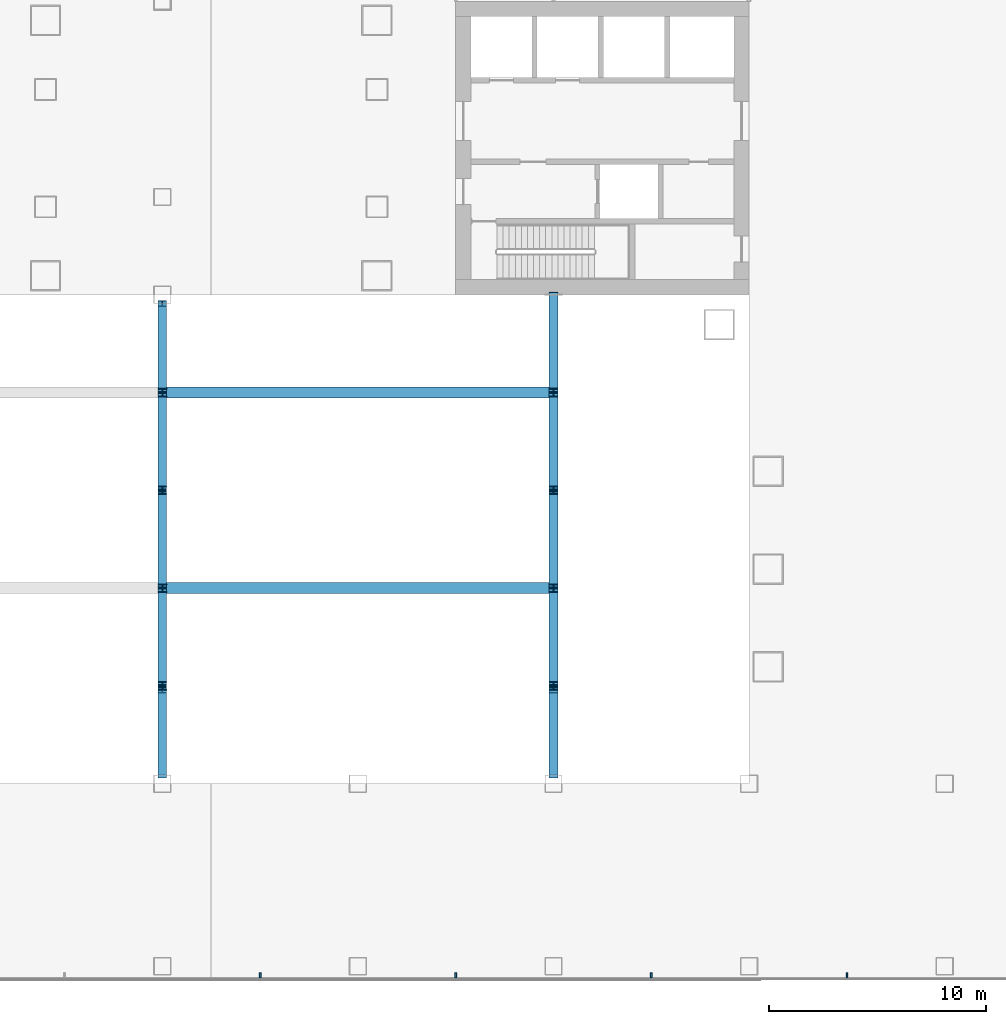
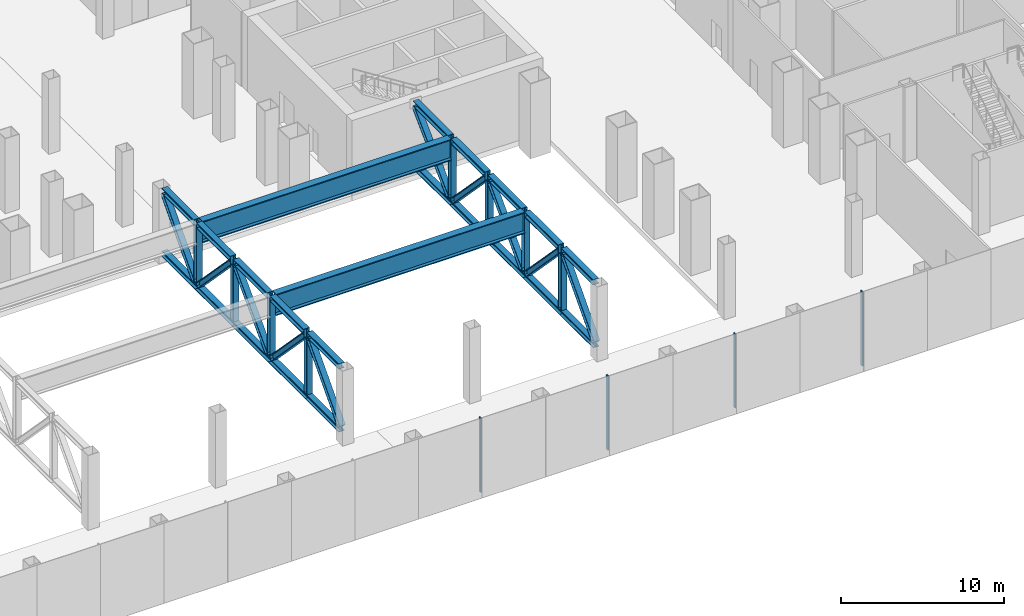
# One storey, part 10 of 33: 42 members, 2 beams, 1 element without a shape of its own.
"""IFC4 building model written with IfcOpenShell, lengths in metres."""

from ifc_helpers import new_model, si_unit, direction, frame, origin, origin_2d, place, context, subcontext, project, spatial, rectangle, i_section, extrude, material, layer, layer_set, material_profile, profile_set, type_object, element, aggregate, save


model = new_model("IFC4")

# Units and contexts
model_context = context("Model", 3, precision=1e-05, world=origin(), true_north=direction((0.0, 1.0)))
body_context = subcontext(model_context, "Body", "Model", "MODEL_VIEW")
ifc_project = project(units=[si_unit("LENGTHUNIT", "METRE"), si_unit("AREAUNIT", "SQUARE_METRE"), si_unit("VOLUMEUNIT", "CUBIC_METRE"), si_unit("PLANEANGLEUNIT", "RADIAN"), si_unit("MASSUNIT", "GRAM", prefix="KILO")], contexts=[model_context])

# Site, building, storey
site_placement = place(None, origin())
site = spatial("IfcSite", under=ifc_project, at=site_placement, CompositionType="ELEMENT")
building_placement = place(site_placement, origin())
building = spatial("IfcBuilding", under=site, at=building_placement, Name="Shamsa Quay Exchange Towers", CompositionType="ELEMENT")
storey_placement = place(building_placement, frame((0.0, 0.0, 6.5)))
storey = spatial("IfcBuildingStorey", under=building, at=storey_placement, Name="L01", CompositionType="ELEMENT", Elevation=6.5)

# Curtain wall, members
ifc_material_1 = material(Name="Aluminium EN AW-6063 T6, black anodised", Category="aluminium")
ifc_layer = layer(ifc_material_1, 0.33203125)
ifc_layer_set = layer_set([ifc_layer], Name="CW-3 PODIUM SHOPFRONT GLAZING")
curtain_wall_type = type_object("IfcCurtainWallType", Name="CW-3 PODIUM SHOPFRONT GLAZING", PredefinedType="NOTDEFINED", material=ifc_layer_set)
curtain_wall_placement = place(storey_placement, origin())
curtain_wall = element("IfcCurtainWall", 1, at=curtain_wall_placement, inside=storey, type_object=curtain_wall_type, Name="CW3 PODIUM-L01-F03", PredefinedType="NOTDEFINED")
ifc_material_profile_1 = material_profile(ifc_material_1, rectangle(XDim=0.219970703125, YDim=0.080078125, at=origin_2d()), Name="MU80x220")
ifc_profile_set_1 = profile_set([ifc_material_profile_1], Name="Aluminium EN AW-6063 T6, black anodised")
member_type_1 = type_object("IfcMemberType", Name="CW3 MULLION 80x220", PredefinedType="MULLION", material=ifc_profile_set_1)
member_1_placement = place(storey_placement, frame((4.5, -38.06005859375, 0.0), z_axis=(0.0, 0.0, 1.0), x_axis=(0.0, 1.0, 0.0)))
member_1 = element("IfcMember", 2, at=member_1_placement, type_object=member_type_1, Name="CW3 mullion", PredefinedType="MULLION", context=body_context, shape_type="SweptSolid", body=[
    extrude(rectangle(XDim=0.219970703125, YDim=0.080078125, at=origin_2d()), origin(), (0.0, 0.0, 1.0), 5.550048828125),
])
member_2_placement = place(storey_placement, frame((13.5, -38.06005859375, 0.0), z_axis=(0.0, 0.0, 1.0), x_axis=(0.0, 1.0, 0.0)))
member_2 = element("IfcMember", 3, at=member_2_placement, type_object=member_type_1, Name="CW3 mullion", PredefinedType="MULLION", context=body_context, shape_type="SweptSolid", body=[
    extrude(rectangle(XDim=0.219970703125, YDim=0.080078125, at=origin_2d()), origin(), (0.0, 0.0, 1.0), 5.550048828125),
])
member_3_placement = place(storey_placement, frame((22.5, -38.06005859375, 0.0), z_axis=(0.0, 0.0, 1.0), x_axis=(0.0, 1.0, 0.0)))
member_3 = element("IfcMember", 4, at=member_3_placement, type_object=member_type_1, Name="CW3 mullion", PredefinedType="MULLION", context=body_context, shape_type="SweptSolid", body=[
    extrude(rectangle(XDim=0.219970703125, YDim=0.080078125, at=origin_2d()), origin(), (0.0, 0.0, 1.0), 5.550048828125),
])
member_4_placement = place(storey_placement, frame((31.5, -38.06005859375, 0.0), z_axis=(0.0, 0.0, 1.0), x_axis=(0.0, 1.0, 0.0)))
member_4 = element("IfcMember", 5, at=member_4_placement, type_object=member_type_1, Name="CW3 mullion", PredefinedType="MULLION", context=body_context, shape_type="SweptSolid", body=[
    extrude(rectangle(XDim=0.219970703125, YDim=0.080078125, at=origin_2d()), origin(), (0.0, 0.0, 1.0), 5.550048828125),
])
aggregate(curtain_wall, [member_1, member_2, member_3, member_4])

# Beams
ifc_material_2 = material(Name="Steel S355", Category="steel")
ifc_material_profile_2 = material_profile(ifc_material_2, i_section(OverallWidth=0.5, OverallDepth=1.60009765625, WebThickness=0.0400390625, FlangeThickness=0.070068359375, at=origin_2d()), Name="PG1600x500x40x70")
ifc_profile_set_2 = profile_set([ifc_material_profile_2], Name="Steel S355")
beam_type = type_object("IfcBeamType", Name="Hall transfer girder PG1600x500x40x70", PredefinedType="BEAM", material=ifc_profile_set_2)
for number, where, z_axis, x_axis, name in (
    (6, (0.19677734375, -20.25, 4.800048828125), (1.0, 0.0, 0.0), (0.0, 1.0, 0.0), "Hall transfer girder"),
    (7, (0.19677734375, -11.25, 4.800048828125), (1.0, 0.0, 0.0), (0.0, 1.0, 0.0), "Hall transfer girder"),
):
    element("IfcBeam", number, at=place(storey_placement, frame(where, z_axis=z_axis, x_axis=x_axis)), inside=storey, type_object=beam_type, Name=name, PredefinedType="BEAM", context=body_context, shape_type="SweptSolid", body=[
        extrude(i_section(OverallWidth=0.5, OverallDepth=1.60009765625, WebThickness=0.0400390625, FlangeThickness=0.070068359375, at=origin_2d()), origin(), (0.0, 0.0, 1.0), 17.6064453125),
    ])

# Members
ifc_material_profile_3 = material_profile(ifc_material_2, i_section(OverallWidth=0.403564453125, OverallDepth=0.407470703125, WebThickness=0.027099609375, FlangeThickness=0.043701171875, at=origin_2d()), Name="W14x233")
ifc_profile_set_3 = profile_set([ifc_material_profile_3], Name="Steel S355")
member_type_2 = type_object("IfcMemberType", Name="Hall truss chord W14x233", PredefinedType="CHORD", material=ifc_profile_set_3)
member_5_placement = place(storey_placement, frame((0.0, -28.85009765625, 5.396240234375), z_axis=(0.0, 1.0, 0.0), x_axis=(-1.0, 0.0, 0.0)))
element("IfcMember", 8, at=member_5_placement, inside=storey, type_object=member_type_2, Name="Hall transfer truss top chord", PredefinedType="CHORD", context=body_context, shape_type="SweptSolid", body=[
    extrude(i_section(OverallWidth=0.403564453125, OverallDepth=0.407470703125, WebThickness=0.027099609375, FlangeThickness=0.043701171875, at=origin_2d()), origin(), (0.0, 0.0, 1.0), 3.912353515625),
])
for number, where, z_axis, x_axis, name in (
    (9, (0.0, -24.562255859375, 5.396240234375), (0.0, 1.0, 0.0), (-1.0, 0.0, 0.0), "Hall transfer truss top chord"),
    (10, (0.0, -20.062255859375, 5.396240234375), (0.0, 1.0, 0.0), (-1.0, 0.0, 0.0), "Hall transfer truss top chord"),
    (11, (0.0, -15.562255859375, 5.396240234375), (0.0, 1.0, 0.0), (-1.0, 0.0, 0.0), "Hall transfer truss top chord"),
):
    element("IfcMember", number, at=place(storey_placement, frame(where, z_axis=z_axis, x_axis=x_axis)), inside=storey, type_object=member_type_2, Name=name, PredefinedType="CHORD", context=body_context, shape_type="SweptSolid", body=[
        extrude(i_section(OverallWidth=0.403564453125, OverallDepth=0.407470703125, WebThickness=0.027099609375, FlangeThickness=0.043701171875, at=origin_2d()), origin(), (0.0, 0.0, 1.0), 4.12451171875),
    ])
member_6_placement = place(storey_placement, frame((0.0, -11.062255859375, 5.396240234375), z_axis=(0.0, 1.0, 0.0), x_axis=(-1.0, 0.0, 0.0)))
element("IfcMember", 12, at=member_6_placement, inside=storey, type_object=member_type_2, Name="Hall transfer truss top chord", PredefinedType="CHORD", context=body_context, shape_type="SweptSolid", body=[
    extrude(i_section(OverallWidth=0.403564453125, OverallDepth=0.407470703125, WebThickness=0.027099609375, FlangeThickness=0.043701171875, at=origin_2d()), origin(), (0.0, 0.0, 1.0), 3.912353515625),
])
member_7_placement = place(storey_placement, frame((0.0, -28.85009765625, 0.6962890625), z_axis=(0.0, 1.0, 0.0), x_axis=(-1.0, 0.0, 0.0)))
element("IfcMember", 13, at=member_7_placement, inside=storey, type_object=member_type_2, Name="Hall transfer truss bottom chord", PredefinedType="CHORD", context=body_context, shape_type="SweptSolid", body=[
    extrude(i_section(OverallWidth=0.403564453125, OverallDepth=0.407470703125, WebThickness=0.027099609375, FlangeThickness=0.043701171875, at=origin_2d()), origin(), (0.0, 0.0, 1.0), 4.10009765625),
])
for number, where, z_axis, x_axis, name in (
    (14, (0.0, -24.75, 0.6962890625), (0.0, 1.0, 0.0), (-1.0, 0.0, 0.0), "Hall transfer truss bottom chord"),
    (15, (0.0, -20.25, 0.6962890625), (0.0, 1.0, 0.0), (-1.0, 0.0, 0.0), "Hall transfer truss bottom chord"),
    (16, (0.0, -15.75, 0.6962890625), (0.0, 1.0, 0.0), (-1.0, 0.0, 0.0), "Hall transfer truss bottom chord"),
):
    element("IfcMember", number, at=place(storey_placement, frame(where, z_axis=z_axis, x_axis=x_axis)), inside=storey, type_object=member_type_2, Name=name, PredefinedType="CHORD", context=body_context, shape_type="SweptSolid", body=[
        extrude(i_section(OverallWidth=0.403564453125, OverallDepth=0.407470703125, WebThickness=0.027099609375, FlangeThickness=0.043701171875, at=origin_2d()), origin(), (0.0, 0.0, 1.0), 4.5),
    ])
member_8_placement = place(storey_placement, frame((0.0, -11.25, 0.6962890625), z_axis=(0.0, 1.0, 0.0), x_axis=(-1.0, 0.0, 0.0)))
element("IfcMember", 17, at=member_8_placement, inside=storey, type_object=member_type_2, Name="Hall transfer truss bottom chord", PredefinedType="CHORD", context=body_context, shape_type="SweptSolid", body=[
    extrude(i_section(OverallWidth=0.403564453125, OverallDepth=0.407470703125, WebThickness=0.027099609375, FlangeThickness=0.043701171875, at=origin_2d()), origin(), (0.0, 0.0, 1.0), 4.10009765625),
])
member_9_placement = place(storey_placement, frame((18.0, -28.85009765625, 5.396240234375), z_axis=(0.0, 1.0, 0.0), x_axis=(-1.0, 0.0, 0.0)))
element("IfcMember", 18, at=member_9_placement, inside=storey, type_object=member_type_2, Name="Hall transfer truss top chord", PredefinedType="CHORD", context=body_context, shape_type="SweptSolid", body=[
    extrude(i_section(OverallWidth=0.403564453125, OverallDepth=0.407470703125, WebThickness=0.027099609375, FlangeThickness=0.043701171875, at=origin_2d()), origin(), (0.0, 0.0, 1.0), 3.912353515625),
])
for number, where, z_axis, x_axis, name in (
    (19, (18.0, -24.562255859375, 5.396240234375), (0.0, 1.0, 0.0), (-1.0, 0.0, 0.0), "Hall transfer truss top chord"),
    (20, (18.0, -20.062255859375, 5.396240234375), (0.0, 1.0, 0.0), (-1.0, 0.0, 0.0), "Hall transfer truss top chord"),
    (21, (18.0, -15.562255859375, 5.396240234375), (0.0, 1.0, 0.0), (-1.0, 0.0, 0.0), "Hall transfer truss top chord"),
):
    element("IfcMember", number, at=place(storey_placement, frame(where, z_axis=z_axis, x_axis=x_axis)), inside=storey, type_object=member_type_2, Name=name, PredefinedType="CHORD", context=body_context, shape_type="SweptSolid", body=[
        extrude(i_section(OverallWidth=0.403564453125, OverallDepth=0.407470703125, WebThickness=0.027099609375, FlangeThickness=0.043701171875, at=origin_2d()), origin(), (0.0, 0.0, 1.0), 4.12451171875),
    ])
member_10_placement = place(storey_placement, frame((18.0, -11.062255859375, 5.396240234375), z_axis=(0.0, 1.0, 0.0), x_axis=(-1.0, 0.0, 0.0)))
element("IfcMember", 22, at=member_10_placement, inside=storey, type_object=member_type_2, Name="Hall transfer truss top chord", PredefinedType="CHORD", context=body_context, shape_type="SweptSolid", body=[
    extrude(i_section(OverallWidth=0.403564453125, OverallDepth=0.407470703125, WebThickness=0.027099609375, FlangeThickness=0.043701171875, at=origin_2d()), origin(), (0.0, 0.0, 1.0), 4.312255859375),
])
member_11_placement = place(storey_placement, frame((18.0, -28.85009765625, 0.6962890625), z_axis=(0.0, 1.0, 0.0), x_axis=(-1.0, 0.0, 0.0)))
element("IfcMember", 23, at=member_11_placement, inside=storey, type_object=member_type_2, Name="Hall transfer truss bottom chord", PredefinedType="CHORD", context=body_context, shape_type="SweptSolid", body=[
    extrude(i_section(OverallWidth=0.403564453125, OverallDepth=0.407470703125, WebThickness=0.027099609375, FlangeThickness=0.043701171875, at=origin_2d()), origin(), (0.0, 0.0, 1.0), 4.10009765625),
])
for number, where, z_axis, x_axis, name in (
    (24, (18.0, -24.75, 0.6962890625), (0.0, 1.0, 0.0), (-1.0, 0.0, 0.0), "Hall transfer truss bottom chord"),
    (25, (18.0, -20.25, 0.6962890625), (0.0, 1.0, 0.0), (-1.0, 0.0, 0.0), "Hall transfer truss bottom chord"),
    (26, (18.0, -15.75, 0.6962890625), (0.0, 1.0, 0.0), (-1.0, 0.0, 0.0), "Hall transfer truss bottom chord"),
    (27, (18.0, -11.25, 0.6962890625), (0.0, 1.0, 0.0), (-1.0, 0.0, 0.0), "Hall transfer truss bottom chord"),
):
    element("IfcMember", number, at=place(storey_placement, frame(where, z_axis=z_axis, x_axis=x_axis)), inside=storey, type_object=member_type_2, Name=name, PredefinedType="CHORD", context=body_context, shape_type="SweptSolid", body=[
        extrude(i_section(OverallWidth=0.403564453125, OverallDepth=0.407470703125, WebThickness=0.027099609375, FlangeThickness=0.043701171875, at=origin_2d()), origin(), (0.0, 0.0, 1.0), 4.5),
    ])
ifc_material_profile_4 = material_profile(ifc_material_2, i_section(OverallWidth=0.3955078125, OverallDepth=0.380615234375, WebThickness=0.018798828125, FlangeThickness=0.0302734375, at=origin_2d()), Name="W14x159")
ifc_profile_set_4 = profile_set([ifc_material_profile_4], Name="Steel S355")
member_type_3 = type_object("IfcMemberType", Name="Hall truss diagonal W14x159", PredefinedType="BRACE", material=ifc_profile_set_4)
member_12_placement = place(storey_placement, frame((0.0, -28.85009765625, 0.89990234375), z_axis=(0.0, 0.673603297749, 0.739093091066), x_axis=(-1.0, 0.0, 0.0)))
element("IfcMember", 28, at=member_12_placement, inside=storey, type_object=member_type_3, Name="Hall transfer truss diagonal", PredefinedType="BRACE", context=body_context, shape_type="SweptSolid", body=[
    extrude(i_section(OverallWidth=0.3955078125, OverallDepth=0.380615234375, WebThickness=0.018798828125, FlangeThickness=0.0302734375, at=origin_2d()), origin(), (0.0, 0.0, 1.0), 5.80810546875),
])
for number, where, z_axis, x_axis, name in (
    (29, (0.0, -24.562255859375, 5.192626953125), (0.0, 0.692837383986, -0.721093863066), (-1.0, 0.0, 0.0), "Hall transfer truss diagonal"),
    (30, (0.0, -20.062255859375, 0.89990234375), (0.0, 0.692837383986, 0.721093863066), (-1.0, 0.0, 0.0), "Hall transfer truss diagonal"),
    (31, (0.0, -15.562255859375, 5.192626953125), (0.0, 0.692837383986, -0.721093863066), (-1.0, 0.0, 0.0), "Hall transfer truss diagonal"),
):
    element("IfcMember", number, at=place(storey_placement, frame(where, z_axis=z_axis, x_axis=x_axis)), inside=storey, type_object=member_type_3, Name=name, PredefinedType="BRACE", context=body_context, shape_type="SweptSolid", body=[
        extrude(i_section(OverallWidth=0.3955078125, OverallDepth=0.380615234375, WebThickness=0.018798828125, FlangeThickness=0.0302734375, at=origin_2d()), origin(), (0.0, 0.0, 1.0), 5.953125),
    ])
for number, where, z_axis, x_axis, name in (
    (32, (0.0, -11.062255859375, 0.89990234375), (0.0, 0.673603297749, 0.739093091066), (-1.0, 0.0, 0.0), "Hall transfer truss diagonal"),
    (33, (18.0, -28.85009765625, 0.89990234375), (0.0, 0.673603297749, 0.739093091066), (-1.0, 0.0, 0.0), "Hall transfer truss diagonal"),
):
    element("IfcMember", number, at=place(storey_placement, frame(where, z_axis=z_axis, x_axis=x_axis)), inside=storey, type_object=member_type_3, Name=name, PredefinedType="BRACE", context=body_context, shape_type="SweptSolid", body=[
        extrude(i_section(OverallWidth=0.3955078125, OverallDepth=0.380615234375, WebThickness=0.018798828125, FlangeThickness=0.0302734375, at=origin_2d()), origin(), (0.0, 0.0, 1.0), 5.80810546875),
    ])
for number, where, z_axis, x_axis, name in (
    (34, (18.0, -24.562255859375, 5.192626953125), (0.0, 0.692837383986, -0.721093863066), (-1.0, 0.0, 0.0), "Hall transfer truss diagonal"),
    (35, (18.0, -20.062255859375, 0.89990234375), (0.0, 0.692837383986, 0.721093863066), (-1.0, 0.0, 0.0), "Hall transfer truss diagonal"),
    (36, (18.0, -15.562255859375, 5.192626953125), (0.0, 0.692837383986, -0.721093863066), (-1.0, 0.0, 0.0), "Hall transfer truss diagonal"),
):
    element("IfcMember", number, at=place(storey_placement, frame(where, z_axis=z_axis, x_axis=x_axis)), inside=storey, type_object=member_type_3, Name=name, PredefinedType="BRACE", context=body_context, shape_type="SweptSolid", body=[
        extrude(i_section(OverallWidth=0.3955078125, OverallDepth=0.380615234375, WebThickness=0.018798828125, FlangeThickness=0.0302734375, at=origin_2d()), origin(), (0.0, 0.0, 1.0), 5.953125),
    ])
member_13_placement = place(storey_placement, frame((18.0, -11.062255859375, 0.89990234375), z_axis=(0.0, 0.708709919088, 0.705500000415), x_axis=(-1.0, 0.0, 0.0)))
element("IfcMember", 37, at=member_13_placement, inside=storey, type_object=member_type_3, Name="Hall transfer truss diagonal", PredefinedType="BRACE", context=body_context, shape_type="SweptSolid", body=[
    extrude(i_section(OverallWidth=0.3955078125, OverallDepth=0.380615234375, WebThickness=0.018798828125, FlangeThickness=0.0302734375, at=origin_2d()), origin(), (0.0, 0.0, 1.0), 6.084716796875),
])
ifc_material_profile_5 = material_profile(ifc_material_2, i_section(OverallWidth=0.393798828125, OverallDepth=0.37548828125, WebThickness=0.017333984375, FlangeThickness=0.027587890625, at=origin_2d()), Name="W14x145")
ifc_profile_set_5 = profile_set([ifc_material_profile_5], Name="Steel S355")
member_type_4 = type_object("IfcMemberType", Name="Hall truss post W14x145", PredefinedType="POST", material=ifc_profile_set_5)
for number, where, z_axis, x_axis, name in (
    (38, (0.0, -24.75, 0.89990234375), (0.0, 0.0, 1.0), (-1.0, 0.0, 0.0), "Hall transfer truss post"),
    (39, (0.0, -20.25, 0.89990234375), (0.0, 0.0, 1.0), (-1.0, 0.0, 0.0), "Hall transfer truss post"),
    (40, (0.0, -15.75, 0.89990234375), (0.0, 0.0, 1.0), (-1.0, 0.0, 0.0), "Hall transfer truss post"),
    (41, (0.0, -11.25, 0.89990234375), (0.0, 0.0, 1.0), (-1.0, 0.0, 0.0), "Hall transfer truss post"),
    (42, (18.0, -24.75, 0.89990234375), (0.0, 0.0, 1.0), (-1.0, 0.0, 0.0), "Hall transfer truss post"),
    (43, (18.0, -20.25, 0.89990234375), (0.0, 0.0, 1.0), (-1.0, 0.0, 0.0), "Hall transfer truss post"),
    (44, (18.0, -15.75, 0.89990234375), (0.0, 0.0, 1.0), (-1.0, 0.0, 0.0), "Hall transfer truss post"),
    (45, (18.0, -11.25, 0.89990234375), (0.0, 0.0, 1.0), (-1.0, 0.0, 0.0), "Hall transfer truss post"),
):
    element("IfcMember", number, at=place(storey_placement, frame(where, z_axis=z_axis, x_axis=x_axis)), inside=storey, type_object=member_type_4, Name=name, PredefinedType="POST", context=body_context, shape_type="SweptSolid", body=[
        extrude(i_section(OverallWidth=0.393798828125, OverallDepth=0.37548828125, WebThickness=0.017333984375, FlangeThickness=0.027587890625, at=origin_2d()), origin(), (0.0, 0.0, 1.0), 4.7001953125),
    ])

save(model, "model.ifc")
